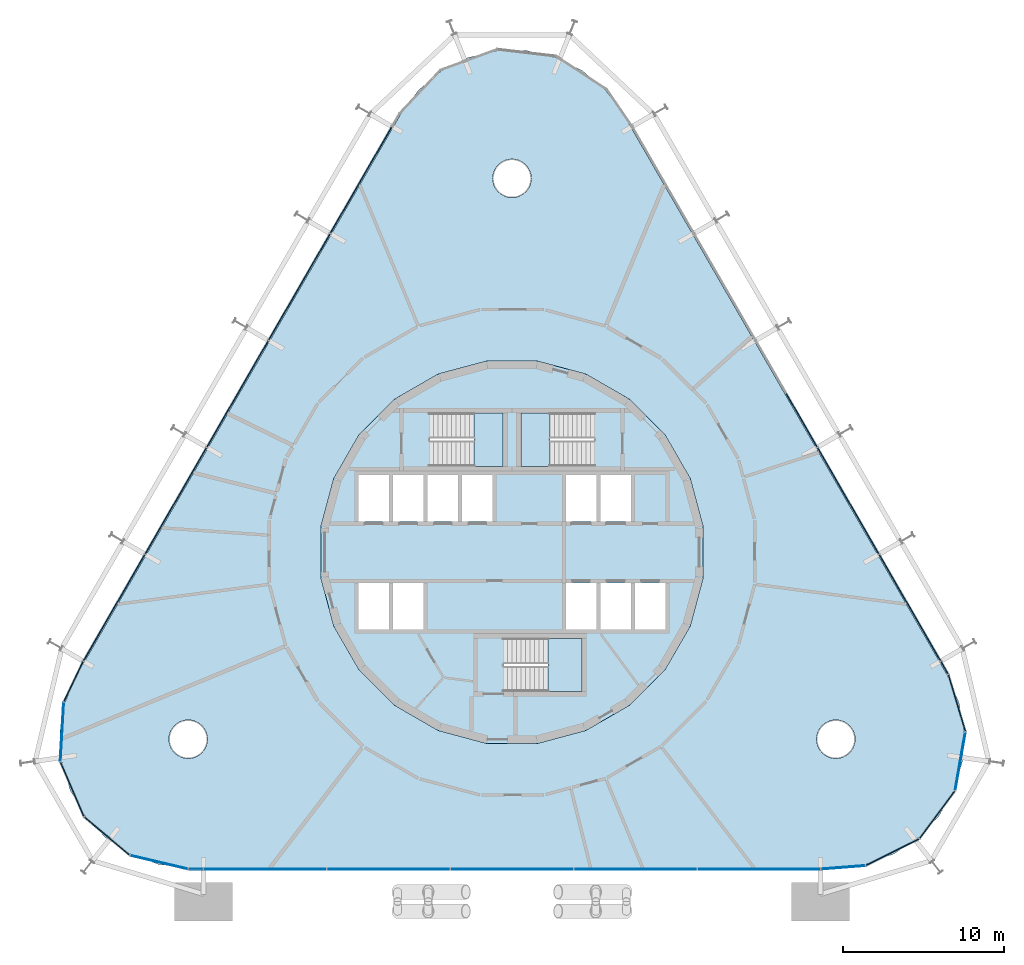
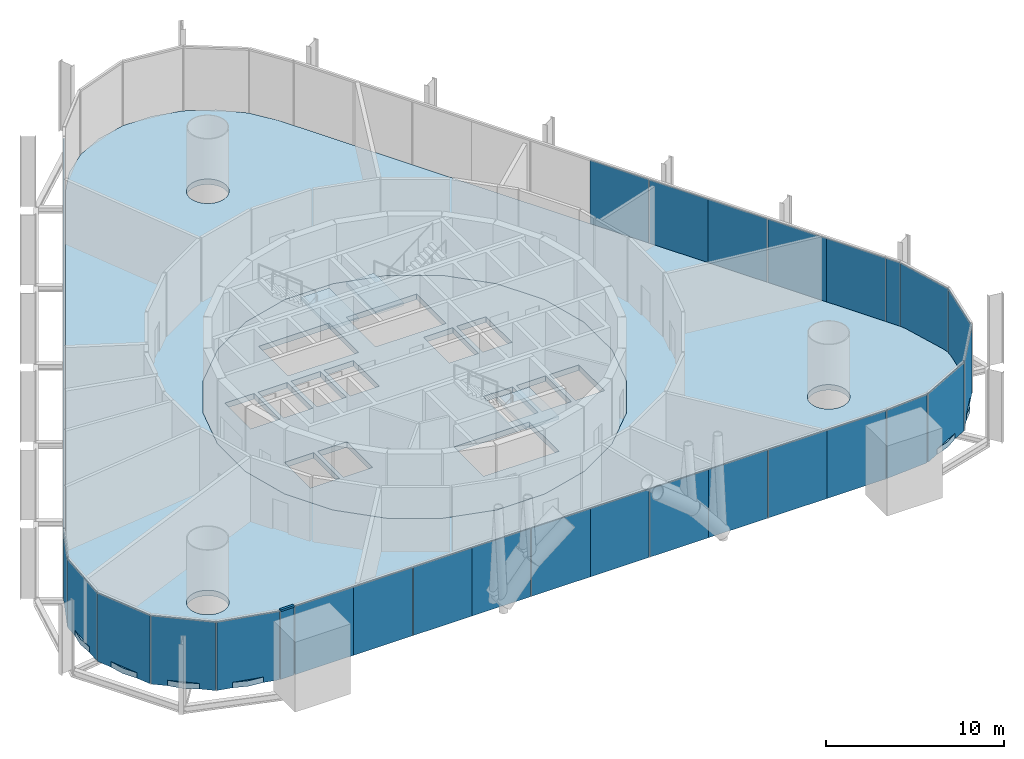
# One storey, part 12 of 17: 37 plates, 5 slabs, 1 member, 8 elements without a shape of their own.
"""IFC4 building model written with IfcOpenShell, lengths in metres."""

from ifc_helpers import new_model, si_unit, direction, frame, origin, origin_2d, place, context, subcontext, project, spatial, polyline, rectangle, outline, extrude, material, layer, layer_set, material_profile, profile_set, type_object, element, aggregate, save


model = new_model("IFC4")

# Units and contexts
model_context = context("Model", 3, precision=1e-05, world=origin(), true_north=direction((0.0, 1.0)))
body_context = subcontext(model_context, "Body", "Model", "MODEL_VIEW")
ifc_project = project(units=[si_unit("LENGTHUNIT", "METRE"), si_unit("AREAUNIT", "SQUARE_METRE"), si_unit("VOLUMEUNIT", "CUBIC_METRE"), si_unit("PLANEANGLEUNIT", "RADIAN"), si_unit("MASSUNIT", "GRAM", prefix="KILO")], contexts=[model_context])

# Site, building, storey
site_placement = place(None, origin())
site = spatial("IfcSite", under=ifc_project, at=site_placement, CompositionType="ELEMENT")
building_placement = place(site_placement, origin())
building = spatial("IfcBuilding", under=site, at=building_placement, Name="Spindle Arch Residences", CompositionType="ELEMENT")
storey_placement = place(building_placement, frame((0.0, 0.0, 23.39990234375)))
storey = spatial("IfcBuildingStorey", under=building, at=storey_placement, Name="L04", CompositionType="ELEMENT", Elevation=23.39990234375)

# Curtain wall, member
ifc_material_1 = material(Name="Aluminium bronze unitised frame with tinted glass", Category="aluminium")
ifc_layer_1 = layer(ifc_material_1, 0.159912109375)
ifc_layer_set_1 = layer_set([ifc_layer_1], Name="CW-D corner wall on the fillet arcs")
curtain_wall_type_1 = type_object("IfcCurtainWallType", Name="CW-D corner wall on the fillet arcs", PredefinedType="NOTDEFINED", material=ifc_layer_set_1)
curtain_wall_1_placement = place(storey_placement, origin())
curtain_wall_1 = element("IfcCurtainWall", 1, at=curtain_wall_1_placement, inside=storey, type_object=curtain_wall_type_1, Name="CW-D L04 run 5", PredefinedType="NOTDEFINED")
ifc_material_2 = material(Name="Aluminium bronze anodised transom", Category="aluminium")
ifc_material_profile = material_profile(ifc_material_2, rectangle(XDim=0.159912109375, YDim=0.1201171875, at=origin_2d()), Name="TR 120x160")
ifc_profile_set = profile_set([ifc_material_profile], Name="Aluminium bronze anodised transom")
member_type = type_object("IfcMemberType", Name="Bronze transom 120x160", PredefinedType="USERDEFINED", material=ifc_profile_set)
member_placement = place(storey_placement, frame((-20.113525390625, -19.7099609375, 4.360107421875), z_axis=(1.0, 0.0, 0.0), x_axis=(0.0, 1.0, 0.0)))
member = element("IfcMember", 2, at=member_placement, type_object=member_type, Name="CW-D transom 05", ObjectType="TRANSOM", PredefinedType="USERDEFINED", context=body_context, shape_type="SweptSolid", body=[
    extrude(rectangle(XDim=0.159912109375, YDim=0.1201171875, at=origin_2d()), origin(), (0.0, 0.0, 1.0), 0.88330078125),
])

# Slab
ifc_material_3 = material(Name="Concrete C50/60", Category="concrete")
ifc_layer_2 = layer(ifc_material_3, 0.3798828125)
ifc_layer_set_2 = layer_set([ifc_layer_2], Name="Core floor slab 380")
slab_type_1 = type_object("IfcSlabType", Name="Core floor slab 380", PredefinedType="FLOOR", material=ifc_layer_set_2)
slab_1_placement = place(storey_placement, frame((0.0, 0.0, -0.3798828125)))
element("IfcSlab", 3, at=slab_1_placement, inside=storey, type_object=slab_type_1, Name="Core floor L04", PredefinedType="FLOOR", context=body_context, shape_type="SweptSolid", body=[
    extrude(outline(polyline([(1.56640625, -11.897216796875), (4.59228515625, -11.086669921875), (7.30517578125, -9.520263671875), (9.520263671875, -7.30517578125), (11.086669921875, -4.59228515625), (11.897216796875, -1.56640625), (11.897216796875, 1.56640625), (11.086669921875, 4.59228515625), (9.520263671875, 7.30517578125), (7.30517578125, 9.520263671875), (4.59228515625, 11.086669921875), (1.56640625, 11.897216796875), (-1.56640625, 11.897216796875), (-4.59228515625, 11.086669921875), (-7.30517578125, 9.520263671875), (-9.520263671875, 7.30517578125), (-11.086669921875, 4.59228515625), (-11.897216796875, 1.56640625), (-11.897216796875, -1.56640625), (-11.086669921875, -4.59228515625), (-9.520263671875, -7.30517578125), (-7.30517578125, -9.520263671875), (-4.59228515625, -11.086669921875), (-1.56640625, -11.897216796875), (1.56640625, -11.897216796875)]), holes=[polyline([(-9.550048828125, 1.89990234375), (-7.64990234375, 1.89990234375), (-7.64990234375, 4.800048828125), (-9.550048828125, 4.800048828125), (-9.550048828125, 1.89990234375)]), polyline([(-7.39990234375, 1.89990234375), (-5.5, 1.89990234375), (-5.5, 4.800048828125), (-7.39990234375, 4.800048828125), (-7.39990234375, 1.89990234375)]), polyline([(-5.25, 1.89990234375), (-3.35009765625, 1.89990234375), (-3.35009765625, 4.800048828125), (-5.25, 4.800048828125), (-5.25, 1.89990234375)]), polyline([(-3.10009765625, 1.89990234375), (-1.199951171875, 1.89990234375), (-1.199951171875, 4.800048828125), (-3.10009765625, 4.800048828125), (-3.10009765625, 1.89990234375)]), polyline([(3.35009765625, 1.89990234375), (5.25, 1.89990234375), (5.25, 4.800048828125), (3.35009765625, 4.800048828125), (3.35009765625, 1.89990234375)]), polyline([(5.5, 1.89990234375), (7.39990234375, 1.89990234375), (7.39990234375, 4.800048828125), (5.5, 4.800048828125), (5.5, 1.89990234375)]), polyline([(-9.550048828125, -4.800048828125), (-7.64990234375, -4.800048828125), (-7.64990234375, -1.89990234375), (-9.550048828125, -1.89990234375), (-9.550048828125, -4.800048828125)]), polyline([(-7.39990234375, -4.800048828125), (-5.5, -4.800048828125), (-5.5, -1.89990234375), (-7.39990234375, -1.89990234375), (-7.39990234375, -4.800048828125)]), polyline([(3.35009765625, -4.800048828125), (5.25, -4.800048828125), (5.25, -1.89990234375), (3.35009765625, -1.89990234375), (3.35009765625, -4.800048828125)]), polyline([(5.5, -4.800048828125), (7.39990234375, -4.800048828125), (7.39990234375, -1.89990234375), (5.5, -1.89990234375), (5.5, -4.800048828125)]), polyline([(7.64990234375, -4.800048828125), (9.550048828125, -4.800048828125), (9.550048828125, -1.89990234375), (7.64990234375, -1.89990234375), (7.64990234375, -4.800048828125)]), polyline([(5.1298828125, 8.669921875), (0.550048828125, 8.669921875), (0.550048828125, 5.35009765625), (5.1298828125, 5.35009765625), (5.1298828125, 8.669921875)]), polyline([(-5.1298828125, 5.35009765625), (-0.550048828125, 5.35009765625), (-0.550048828125, 8.669921875), (-5.1298828125, 8.669921875), (-5.1298828125, 5.35009765625)]), polyline([(-0.530029296875, -8.669921875), (4.35009765625, -8.669921875), (4.35009765625, -5.35009765625), (-0.530029296875, -5.35009765625), (-0.530029296875, -8.669921875)])]), origin(), (0.0, 0.0, 1.0), 0.3798828125),
])

# Stair, slab
ifc_material_4 = material(Name="Concrete C50/60", Category="concrete")
stair_type = type_object("IfcStairType", Name="Exit stair 22 risers", PredefinedType="HALF_TURN_STAIR", material=ifc_material_4)
stair_1_placement = place(storey_placement, origin())
stair_1 = element("IfcStair", 4, at=stair_1_placement, inside=storey, type_object=stair_type, Name="L04 Exit stair ST1", PredefinedType="HALF_TURN_STAIR")
ifc_material_5 = material(Name="Concrete C50/60", Category="concrete")
ifc_layer_3 = layer(ifc_material_5, 0.219970703125)
ifc_layer_set_3 = layer_set([ifc_layer_3], Name="Exit stair landing 220")
slab_type_2 = type_object("IfcSlabType", Name="Exit stair landing 220", PredefinedType="LANDING", material=ifc_layer_set_3)
slab_2_placement = place(storey_placement, frame((0.0, 0.0, 2.18017578125)))
slab_2 = element("IfcSlab", 5, at=slab_2_placement, type_object=slab_type_2, Name="ST1 landing 1", PredefinedType="LANDING", context=body_context, shape_type="SweptSolid", body=[
    extrude(outline(polyline([(2.3701171875, 8.669921875), (0.550048828125, 8.669921875), (0.550048828125, 5.35009765625), (2.3701171875, 5.35009765625), (2.3701171875, 8.669921875)])), origin(), (0.0, 0.0, 1.0), 0.219970703125),
])
aggregate(stair_1, [slab_2])

stair_2_placement = place(storey_placement, origin())
stair_2 = element("IfcStair", 6, at=stair_2_placement, inside=storey, type_object=stair_type, Name="L04 Exit stair ST2", PredefinedType="HALF_TURN_STAIR")
slab_3_placement = place(storey_placement, frame((0.0, 0.0, 2.18017578125)))
slab_3 = element("IfcSlab", 7, at=slab_3_placement, type_object=slab_type_2, Name="ST2 landing 1", PredefinedType="LANDING", context=body_context, shape_type="SweptSolid", body=[
    extrude(outline(polyline([(-2.3701171875, 5.35009765625), (-0.550048828125, 5.35009765625), (-0.550048828125, 8.669921875), (-2.3701171875, 8.669921875), (-2.3701171875, 5.35009765625)])), origin(), (0.0, 0.0, 1.0), 0.219970703125),
])
aggregate(stair_2, [slab_3])

stair_3_placement = place(storey_placement, origin())
stair_3 = element("IfcStair", 8, at=stair_3_placement, inside=storey, type_object=stair_type, Name="L04 Exit stair ST3", PredefinedType="HALF_TURN_STAIR")
slab_4_placement = place(storey_placement, frame((0.0, 0.0, 2.18017578125)))
slab_4 = element("IfcSlab", 9, at=slab_4_placement, type_object=slab_type_2, Name="ST3 landing 1", PredefinedType="LANDING", context=body_context, shape_type="SweptSolid", body=[
    extrude(outline(polyline([(2.22998046875, -8.669921875), (4.35009765625, -8.669921875), (4.35009765625, -5.35009765625), (2.22998046875, -5.35009765625), (2.22998046875, -8.669921875)])), origin(), (0.0, 0.0, 1.0), 0.219970703125),
])
aggregate(stair_3, [slab_4])

# Slab
ifc_material_6 = material(Name="Concrete C40/50", Category="concrete")
ifc_layer_4 = layer(ifc_material_6, 0.3798828125)
ifc_layer_set_4 = layer_set([ifc_layer_4], Name="Floor slab 380")
slab_type_3 = type_object("IfcSlabType", Name="Floor slab 380", PredefinedType="FLOOR", material=ifc_layer_set_4)
slab_5_placement = place(storey_placement, frame((0.0, 0.0, -0.3798828125)))
element("IfcSlab", 10, at=slab_5_placement, inside=storey, type_object=slab_type_3, Name="Floor slab L04", PredefinedType="FLOOR", context=body_context, shape_type="SweptSolid", body=[
    extrude(outline(polyline([(-21.988525390625, -19.414306640625), (-23.73388671875, -18.779052734375), (-25.285888671875, -17.75830078125), (-26.560546875, -16.4072265625), (-27.4892578125, -14.798583984375), (-28.022216796875, -13.01904296875), (-28.130126953125, -11.164794921875), (-27.8076171875, -9.33544921875), (-27.07177734375, -7.6298828125), (-6.92822265625, 27.259765625), (-5.819091796875, 28.749755859375), (-4.39599609375, 29.943603515625), (-2.736083984375, 30.77734375), (-0.9287109375, 31.205810546875), (0.9287109375, 31.205810546875), (2.736083984375, 30.77734375), (4.39599609375, 29.943603515625), (5.819091796875, 28.749755859375), (6.92822265625, 27.259765625), (27.07177734375, -7.6298828125), (27.8076171875, -9.33544921875), (28.130126953125, -11.164794921875), (28.022216796875, -13.01904296875), (27.4892578125, -14.798583984375), (26.560546875, -16.4072265625), (25.285888671875, -17.75830078125), (23.73388671875, -18.779052734375), (21.988525390625, -19.414306640625), (20.1435546875, -19.6298828125), (0.0, -19.6298828125), (-20.1435546875, -19.6298828125), (-21.988525390625, -19.414306640625)]), holes=[polyline([(7.30517578125, -9.520263671875), (9.520263671875, -7.30517578125), (11.086669921875, -4.59228515625), (11.897216796875, -1.56640625), (11.897216796875, 1.56640625), (11.086669921875, 4.59228515625), (9.520263671875, 7.30517578125), (7.30517578125, 9.520263671875), (4.59228515625, 11.086669921875), (1.56640625, 11.897216796875), (-1.56640625, 11.897216796875), (-4.59228515625, 11.086669921875), (-7.30517578125, 9.520263671875), (-9.520263671875, 7.30517578125), (-11.086669921875, 4.59228515625), (-11.897216796875, 1.56640625), (-11.897216796875, -1.56640625), (-11.086669921875, -4.59228515625), (-9.520263671875, -7.30517578125), (-7.30517578125, -9.520263671875), (-4.59228515625, -11.086669921875), (-1.56640625, -11.897216796875), (1.56640625, -11.897216796875), (4.59228515625, -11.086669921875), (7.30517578125, -9.520263671875)]), polyline([(-19.295166015625, -12.478515625), (-19.145751953125, -12.296630859375), (-19.034912109375, -12.089111328125), (-18.966796875, -11.864013671875), (-18.943603515625, -11.6298828125), (-18.966796875, -11.395751953125), (-19.034912109375, -11.170654296875), (-19.145751953125, -10.963134765625), (-19.295166015625, -10.781494140625), (-19.476806640625, -10.632080078125), (-19.684326171875, -10.521240234375), (-19.909423828125, -10.452880859375), (-20.1435546875, -10.429931640625), (-20.377685546875, -10.452880859375), (-20.602783203125, -10.521240234375), (-20.810302734375, -10.632080078125), (-20.9921875, -10.781494140625), (-21.141357421875, -10.963134765625), (-21.252197265625, -11.170654296875), (-21.320556640625, -11.395751953125), (-21.343505859375, -11.6298828125), (-21.320556640625, -11.864013671875), (-21.252197265625, -12.089111328125), (-21.141357421875, -12.296630859375), (-20.9921875, -12.478515625), (-20.810302734375, -12.627685546875), (-20.602783203125, -12.738525390625), (-20.377685546875, -12.806884765625), (-20.1435546875, -12.829833984375), (-19.909423828125, -12.806884765625), (-19.684326171875, -12.738525390625), (-19.476806640625, -12.627685546875), (-19.295166015625, -12.478515625)]), polyline([(0.848388671875, 22.411376953125), (0.997802734375, 22.593017578125), (1.108642578125, 22.800537109375), (1.177001953125, 23.025634765625), (1.199951171875, 23.259765625), (1.177001953125, 23.493896484375), (1.108642578125, 23.718994140625), (0.997802734375, 23.926513671875), (0.848388671875, 24.1083984375), (0.666748046875, 24.257568359375), (0.459228515625, 24.368408203125), (0.234130859375, 24.436767578125), (0.0, 24.459716796875), (-0.234130859375, 24.436767578125), (-0.459228515625, 24.368408203125), (-0.666748046875, 24.257568359375), (-0.848388671875, 24.1083984375), (-0.997802734375, 23.926513671875), (-1.108642578125, 23.718994140625), (-1.177001953125, 23.493896484375), (-1.199951171875, 23.259765625), (-1.177001953125, 23.025634765625), (-1.108642578125, 22.800537109375), (-0.997802734375, 22.593017578125), (-0.848388671875, 22.411376953125), (-0.666748046875, 22.261962890625), (-0.459228515625, 22.151123046875), (-0.234130859375, 22.0830078125), (0.0, 22.059814453125), (0.234130859375, 22.0830078125), (0.459228515625, 22.151123046875), (0.666748046875, 22.261962890625), (0.848388671875, 22.411376953125)]), polyline([(20.9921875, -12.478515625), (21.141357421875, -12.296630859375), (21.252197265625, -12.089111328125), (21.320556640625, -11.864013671875), (21.343505859375, -11.6298828125), (21.320556640625, -11.395751953125), (21.252197265625, -11.170654296875), (21.141357421875, -10.963134765625), (20.9921875, -10.781494140625), (20.810302734375, -10.632080078125), (20.602783203125, -10.521240234375), (20.377685546875, -10.452880859375), (20.1435546875, -10.429931640625), (19.909423828125, -10.452880859375), (19.684326171875, -10.521240234375), (19.476806640625, -10.632080078125), (19.295166015625, -10.781494140625), (19.145751953125, -10.963134765625), (19.034912109375, -11.170654296875), (18.966796875, -11.395751953125), (18.943603515625, -11.6298828125), (18.966796875, -11.864013671875), (19.034912109375, -12.089111328125), (19.145751953125, -12.296630859375), (19.295166015625, -12.478515625), (19.476806640625, -12.627685546875), (19.684326171875, -12.738525390625), (19.909423828125, -12.806884765625), (20.1435546875, -12.829833984375), (20.377685546875, -12.806884765625), (20.602783203125, -12.738525390625), (20.810302734375, -12.627685546875), (20.9921875, -12.478515625)])]), origin(), (0.0, 0.0, 1.0), 0.3798828125),
])

# Curtain wall, plates
curtain_wall_2_placement = place(storey_placement, origin())
curtain_wall_2 = element("IfcCurtainWall", 11, at=curtain_wall_2_placement, inside=storey, type_object=curtain_wall_type_1, Name="CW-D L04 run 1", PredefinedType="NOTDEFINED")
ifc_material_7 = material(Name="Tinted double glazing over aluminium faced non-combustible spandrel zone (K0)", Category="aluminium")
ifc_layer_5 = layer(ifc_material_7, 0.06005859375)
ifc_layer_set_5 = layer_set([ifc_layer_5], Name="Unitised glass panel with E 60 spandrel zone")
plate_type = type_object("IfcPlateType", Name="Unitised glass panel with E 60 spandrel zone", PredefinedType="CURTAIN_PANEL", material=ifc_layer_set_5)
plate_1_placement = place(storey_placement, frame((20.603515625, -19.60107421875, -0.3798828125), z_axis=(0.0, 0.0, 1.0), x_axis=(0.997002907861, 0.077364085451, 0.0)))
plate_1 = element("IfcPlate", 12, at=plate_1_placement, type_object=plate_type, Name="CW-D unit 00", PredefinedType="CURTAIN_PANEL", context=body_context, shape_type="SweptSolid", body=[
    extrude(rectangle(XDim=2.755126953125, YDim=0.06005859375, at=origin_2d()), origin(), (0.0, 0.0, 1.0), 4.679931640625),
])
plate_2_placement = place(storey_placement, frame((23.672119140625, -18.65576171875, -0.3798828125), z_axis=(0.0, 0.0, 1.0), x_axis=(0.893632642326, 0.448799176213, 0.0)))
plate_2 = element("IfcPlate", 13, at=plate_2_placement, type_object=plate_type, Name="CW-D unit 01", PredefinedType="CURTAIN_PANEL", context=body_context, shape_type="SweptSolid", body=[
    extrude(rectangle(XDim=3.666748046875, YDim=0.06005859375, at=origin_2d()), origin(), (0.0, 0.0, 1.0), 4.679931640625),
])
plate_3_placement = place(storey_placement, frame((26.449951171875, -16.324951171875, -0.3798828125), z_axis=(0.0, 0.0, 1.0), x_axis=(0.597158595823, 0.802123189687, 0.0)))
plate_3 = element("IfcPlate", 14, at=plate_3_placement, type_object=plate_type, Name="CW-D unit 02", PredefinedType="CURTAIN_PANEL", context=body_context, shape_type="SweptSolid", body=[
    extrude(rectangle(XDim=3.666748046875, YDim=0.06005859375, at=origin_2d()), origin(), (0.0, 0.0, 1.0), 4.679931640625),
])
plate_4_placement = place(storey_placement, frame((27.88623046875, -12.9951171875, -0.3798828125), z_axis=(0.0, 0.0, 1.0), x_axis=(0.173648181019, 0.984807752421, 0.0)))
plate_4 = element("IfcPlate", 15, at=plate_4_placement, type_object=plate_type, Name="CW-D unit 03", PredefinedType="CURTAIN_PANEL", context=body_context, shape_type="SweptSolid", body=[
    extrude(rectangle(XDim=3.666748046875, YDim=0.06005859375, at=origin_2d()), origin(), (0.0, 0.0, 1.0), 4.679931640625),
])
plate_5_placement = place(storey_placement, frame((27.675537109375, -9.375, -0.3798828125), z_axis=(0.0, 0.0, 1.0), x_axis=(-0.28680323051, 0.957989512975, 0.0)))
plate_5 = element("IfcPlate", 16, at=plate_5_placement, type_object=plate_type, Name="CW-D unit 04", PredefinedType="CURTAIN_PANEL", context=body_context, shape_type="SweptSolid", body=[
    extrude(rectangle(XDim=3.666748046875, YDim=0.06005859375, at=origin_2d()), origin(), (0.0, 0.0, 1.0), 4.679931640625),
])
plate_6_placement = place(storey_placement, frame((26.9052734375, -7.181396484375, -0.3798828125), z_axis=(0.0, 0.0, 1.0), x_axis=(-0.5, 0.866025403784, 0.0)))
plate_6 = element("IfcPlate", 17, at=plate_6_placement, type_object=plate_type, Name="CW-D unit 05", PredefinedType="CURTAIN_PANEL", context=body_context, shape_type="SweptSolid", body=[
    extrude(rectangle(XDim=0.88330078125, YDim=0.06005859375, at=origin_2d()), origin(), (0.0, 0.0, 1.0), 4.679931640625),
])
aggregate(curtain_wall_2, [plate_1, plate_2, plate_3, plate_4, plate_5, plate_6])

ifc_material_8 = material(Name="Aluminium bronze unitised frame with tinted glass", Category="aluminium")
ifc_layer_6 = layer(ifc_material_8, 0.159912109375)
ifc_layer_set_6 = layer_set([ifc_layer_6], Name="CW-B amenity podium glazed wall")
curtain_wall_type_2 = type_object("IfcCurtainWallType", Name="CW-B amenity podium glazed wall", PredefinedType="NOTDEFINED", material=ifc_layer_set_6)
curtain_wall_3_placement = place(storey_placement, origin())
curtain_wall_3 = element("IfcCurtainWall", 18, at=curtain_wall_3_placement, inside=storey, type_object=curtain_wall_type_2, Name="CW-B L04 run 2", PredefinedType="NOTDEFINED")
plate_7_placement = place(storey_placement, frame((25.701904296875, -5.09716796875, -0.3798828125), z_axis=(0.0, 0.0, 1.0), x_axis=(-0.5, 0.866025403784, 0.0)))
plate_7 = element("IfcPlate", 19, at=plate_7_placement, type_object=plate_type, Name="CW-B unit 05A", PredefinedType="CURTAIN_PANEL", context=body_context, shape_type="SweptSolid", body=[
    extrude(rectangle(XDim=3.81005859375, YDim=0.06005859375, at=origin_2d()), origin(), (0.0, 0.0, 1.0), 4.679931640625),
])
plate_8_placement = place(storey_placement, frame((23.796875, -1.797607421875, -0.3798828125), z_axis=(0.0, 0.0, 1.0), x_axis=(-0.5, 0.866025403784, 0.0)))
plate_8 = element("IfcPlate", 20, at=plate_8_placement, type_object=plate_type, Name="CW-B unit 05B", PredefinedType="CURTAIN_PANEL", context=body_context, shape_type="SweptSolid", body=[
    extrude(rectangle(XDim=3.81005859375, YDim=0.06005859375, at=origin_2d()), origin(), (0.0, 0.0, 1.0), 4.679931640625),
])
plate_9_placement = place(storey_placement, frame((21.86181640625, 1.553955078125, -0.3798828125), z_axis=(0.0, 0.0, 1.0), x_axis=(-0.5, 0.866025403784, 0.0)))
plate_9 = element("IfcPlate", 21, at=plate_9_placement, type_object=plate_type, Name="CW-B unit 06A", PredefinedType="CURTAIN_PANEL", context=body_context, shape_type="SweptSolid", body=[
    extrude(rectangle(XDim=3.81005859375, YDim=0.06005859375, at=origin_2d()), origin(), (0.0, 0.0, 1.0), 4.679931640625),
])
plate_10_placement = place(storey_placement, frame((19.956787109375, 4.853515625, -0.3798828125), z_axis=(0.0, 0.0, 1.0), x_axis=(-0.5, 0.866025403784, 0.0)))
plate_10 = element("IfcPlate", 22, at=plate_10_placement, type_object=plate_type, Name="CW-B unit 06B", PredefinedType="CURTAIN_PANEL", context=body_context, shape_type="SweptSolid", body=[
    extrude(rectangle(XDim=3.81005859375, YDim=0.06005859375, at=origin_2d()), origin(), (0.0, 0.0, 1.0), 4.679931640625),
])
plate_11_placement = place(storey_placement, frame((18.021728515625, 8.205078125, -0.3798828125), z_axis=(0.0, 0.0, 1.0), x_axis=(-0.5, 0.866025403784, 0.0)))
plate_11 = element("IfcPlate", 23, at=plate_11_placement, type_object=plate_type, Name="CW-B unit 07A", PredefinedType="CURTAIN_PANEL", context=body_context, shape_type="SweptSolid", body=[
    extrude(rectangle(XDim=3.81005859375, YDim=0.06005859375, at=origin_2d()), origin(), (0.0, 0.0, 1.0), 4.679931640625),
])
aggregate(curtain_wall_3, [plate_7, plate_8, plate_9, plate_10, plate_11])

curtain_wall_4_placement = place(storey_placement, origin())
curtain_wall_4 = element("IfcCurtainWall", 24, at=curtain_wall_4_placement, inside=storey, type_object=curtain_wall_type_2, Name="CW-B L04 run 4", PredefinedType="NOTDEFINED")
plate_12_placement = place(storey_placement, frame((-8.436767578125, 24.80712890625, -0.3798828125), z_axis=(0.0, 0.0, 1.0), x_axis=(-0.5, -0.866025403784, 0.0)))
plate_12 = element("IfcPlate", 25, at=plate_12_placement, type_object=plate_type, Name="CW-B unit 13A", PredefinedType="CURTAIN_PANEL", context=body_context, shape_type="SweptSolid", body=[
    extrude(rectangle(XDim=3.81005859375, YDim=0.06005859375, at=origin_2d()), origin(), (0.0, 0.0, 1.0), 4.679931640625),
])
plate_13_placement = place(storey_placement, frame((-10.341796875, 21.50732421875, -0.3798828125), z_axis=(0.0, 0.0, 1.0), x_axis=(-0.5, -0.866025403784, 0.0)))
plate_13 = element("IfcPlate", 26, at=plate_13_placement, type_object=plate_type, Name="CW-B unit 13B", PredefinedType="CURTAIN_PANEL", context=body_context, shape_type="SweptSolid", body=[
    extrude(rectangle(XDim=3.81005859375, YDim=0.06005859375, at=origin_2d()), origin(), (0.0, 0.0, 1.0), 4.679931640625),
])
plate_14_placement = place(storey_placement, frame((-12.27685546875, 18.156005859375, -0.3798828125), z_axis=(0.0, 0.0, 1.0), x_axis=(-0.5, -0.866025403784, 0.0)))
plate_14 = element("IfcPlate", 27, at=plate_14_placement, type_object=plate_type, Name="CW-B unit 14A", PredefinedType="CURTAIN_PANEL", context=body_context, shape_type="SweptSolid", body=[
    extrude(rectangle(XDim=3.81005859375, YDim=0.06005859375, at=origin_2d()), origin(), (0.0, 0.0, 1.0), 4.679931640625),
])
plate_15_placement = place(storey_placement, frame((-14.181640625, 14.856201171875, -0.3798828125), z_axis=(0.0, 0.0, 1.0), x_axis=(-0.5, -0.866025403784, 0.0)))
plate_15 = element("IfcPlate", 28, at=plate_15_placement, type_object=plate_type, Name="CW-B unit 14B", PredefinedType="CURTAIN_PANEL", context=body_context, shape_type="SweptSolid", body=[
    extrude(rectangle(XDim=3.81005859375, YDim=0.06005859375, at=origin_2d()), origin(), (0.0, 0.0, 1.0), 4.679931640625),
])
plate_16_placement = place(storey_placement, frame((-16.11669921875, 11.504638671875, -0.3798828125), z_axis=(0.0, 0.0, 1.0), x_axis=(-0.5, -0.866025403784, 0.0)))
plate_16 = element("IfcPlate", 29, at=plate_16_placement, type_object=plate_type, Name="CW-B unit 15A", PredefinedType="CURTAIN_PANEL", context=body_context, shape_type="SweptSolid", body=[
    extrude(rectangle(XDim=3.81005859375, YDim=0.06005859375, at=origin_2d()), origin(), (0.0, 0.0, 1.0), 4.679931640625),
])
plate_17_placement = place(storey_placement, frame((-18.021728515625, 8.205078125, -0.3798828125), z_axis=(0.0, 0.0, 1.0), x_axis=(-0.5, -0.866025403784, 0.0)))
plate_17 = element("IfcPlate", 30, at=plate_17_placement, type_object=plate_type, Name="CW-B unit 15B", PredefinedType="CURTAIN_PANEL", context=body_context, shape_type="SweptSolid", body=[
    extrude(rectangle(XDim=3.81005859375, YDim=0.06005859375, at=origin_2d()), origin(), (0.0, 0.0, 1.0), 4.679931640625),
])
plate_18_placement = place(storey_placement, frame((-19.956787109375, 4.853515625, -0.3798828125), z_axis=(0.0, 0.0, 1.0), x_axis=(-0.5, -0.866025403784, 0.0)))
plate_18 = element("IfcPlate", 31, at=plate_18_placement, type_object=plate_type, Name="CW-B unit 16A", PredefinedType="CURTAIN_PANEL", context=body_context, shape_type="SweptSolid", body=[
    extrude(rectangle(XDim=3.81005859375, YDim=0.06005859375, at=origin_2d()), origin(), (0.0, 0.0, 1.0), 4.679931640625),
])
plate_19_placement = place(storey_placement, frame((-21.86181640625, 1.553955078125, -0.3798828125), z_axis=(0.0, 0.0, 1.0), x_axis=(-0.5, -0.866025403784, 0.0)))
plate_19 = element("IfcPlate", 32, at=plate_19_placement, type_object=plate_type, Name="CW-B unit 16B", PredefinedType="CURTAIN_PANEL", context=body_context, shape_type="SweptSolid", body=[
    extrude(rectangle(XDim=3.81005859375, YDim=0.06005859375, at=origin_2d()), origin(), (0.0, 0.0, 1.0), 4.679931640625),
])
plate_20_placement = place(storey_placement, frame((-23.796875, -1.797607421875, -0.3798828125), z_axis=(0.0, 0.0, 1.0), x_axis=(-0.5, -0.866025403784, 0.0)))
plate_20 = element("IfcPlate", 33, at=plate_20_placement, type_object=plate_type, Name="CW-B unit 17A", PredefinedType="CURTAIN_PANEL", context=body_context, shape_type="SweptSolid", body=[
    extrude(rectangle(XDim=3.81005859375, YDim=0.06005859375, at=origin_2d()), origin(), (0.0, 0.0, 1.0), 4.679931640625),
])
plate_21_placement = place(storey_placement, frame((-25.701904296875, -5.09716796875, -0.3798828125), z_axis=(0.0, 0.0, 1.0), x_axis=(-0.5, -0.866025403784, 0.0)))
plate_21 = element("IfcPlate", 34, at=plate_21_placement, type_object=plate_type, Name="CW-B unit 17B", PredefinedType="CURTAIN_PANEL", context=body_context, shape_type="SweptSolid", body=[
    extrude(rectangle(XDim=3.81005859375, YDim=0.06005859375, at=origin_2d()), origin(), (0.0, 0.0, 1.0), 4.679931640625),
])
aggregate(curtain_wall_4, [plate_12, plate_13, plate_14, plate_15, plate_16, plate_17, plate_18, plate_19, plate_20, plate_21])

# Plate
plate_22_placement = place(storey_placement, frame((-27.27685546875, -8.042724609375, -0.3798828125), z_axis=(0.0, 0.0, 1.0), x_axis=(-0.431502189519, -0.902111889092, 0.0)))
plate_22 = element("IfcPlate", 35, at=plate_22_placement, type_object=plate_type, Name="CW-D unit 00", PredefinedType="CURTAIN_PANEL", context=body_context, shape_type="SweptSolid", body=[
    extrude(rectangle(XDim=2.755126953125, YDim=0.06005859375, at=origin_2d()), origin(), (0.0, 0.0, 1.0), 4.679931640625),
])

plate_23_placement = place(storey_placement, frame((-27.992431640625, -11.1728515625, -0.3798828125), z_axis=(0.0, 0.0, 1.0), x_axis=(-0.058144829968, -0.99830815821, 0.0)))
plate_23 = element("IfcPlate", 36, at=plate_23_placement, type_object=plate_type, Name="CW-D unit 01", PredefinedType="CURTAIN_PANEL", context=body_context, shape_type="SweptSolid", body=[
    extrude(rectangle(XDim=3.666748046875, YDim=0.06005859375, at=origin_2d()), origin(), (0.0, 0.0, 1.0), 4.679931640625),
])

plate_24_placement = place(storey_placement, frame((-27.36279296875, -14.743896484375, -0.3798828125), z_axis=(0.0, 0.0, 1.0), x_axis=(0.396079766691, -0.918216106599, 0.0)))
plate_24 = element("IfcPlate", 37, at=plate_24_placement, type_object=plate_type, Name="CW-D unit 02", PredefinedType="CURTAIN_PANEL", context=body_context, shape_type="SweptSolid", body=[
    extrude(rectangle(XDim=3.666748046875, YDim=0.06005859375, at=origin_2d()), origin(), (0.0, 0.0, 1.0), 4.679931640625),
])

plate_25_placement = place(storey_placement, frame((-25.197265625, -17.652587890625, -0.3798828125), z_axis=(0.0, 0.0, 1.0), x_axis=(0.766044445239, -0.64278760716, 0.0)))
plate_25 = element("IfcPlate", 38, at=plate_25_placement, type_object=plate_type, Name="CW-D unit 03", PredefinedType="CURTAIN_PANEL", context=body_context, shape_type="SweptSolid", body=[
    extrude(rectangle(XDim=3.666748046875, YDim=0.06005859375, at=origin_2d()), origin(), (0.0, 0.0, 1.0), 4.679931640625),
])

plate_26_placement = place(storey_placement, frame((-21.956787109375, -19.2802734375, -0.3798828125), z_axis=(0.0, 0.0, 1.0), x_axis=(0.973044871028, -0.230615868852, 0.0)))
plate_26 = element("IfcPlate", 39, at=plate_26_placement, type_object=plate_type, Name="CW-D unit 04", PredefinedType="CURTAIN_PANEL", context=body_context, shape_type="SweptSolid", body=[
    extrude(rectangle(XDim=3.666748046875, YDim=0.06005859375, at=origin_2d()), origin(), (0.0, 0.0, 1.0), 4.679931640625),
])

plate_27_placement = place(storey_placement, frame((-19.671875, -19.7099609375, -0.3798828125), z_axis=(0.0, 0.0, 1.0), x_axis=(1.0, 0.0, 0.0)))
plate_27 = element("IfcPlate", 40, at=plate_27_placement, type_object=plate_type, Name="CW-D unit 05", PredefinedType="CURTAIN_PANEL", context=body_context, shape_type="SweptSolid", body=[
    extrude(rectangle(XDim=0.88330078125, YDim=0.06005859375, at=origin_2d()), origin(), (0.0, 0.0, 1.0), 4.679931640625),
])

aggregate(curtain_wall_1, [plate_22, plate_23, plate_24, plate_25, plate_26, member, plate_27])

# Curtain wall, plates
curtain_wall_5_placement = place(storey_placement, origin())
curtain_wall_5 = element("IfcCurtainWall", 41, at=curtain_wall_5_placement, inside=storey, type_object=curtain_wall_type_2, Name="CW-B L04 run 6", PredefinedType="NOTDEFINED")
plate_28_placement = place(storey_placement, frame((-17.26513671875, -19.7099609375, -0.3798828125), z_axis=(0.0, 0.0, 1.0), x_axis=(1.0, 0.0, 0.0)))
plate_28 = element("IfcPlate", 42, at=plate_28_placement, type_object=plate_type, Name="CW-B unit 21A", PredefinedType="CURTAIN_PANEL", context=body_context, shape_type="SweptSolid", body=[
    extrude(rectangle(XDim=3.81005859375, YDim=0.06005859375, at=origin_2d()), origin(), (0.0, 0.0, 1.0), 4.679931640625),
])
plate_29_placement = place(storey_placement, frame((-13.455078125, -19.7099609375, -0.3798828125), z_axis=(0.0, 0.0, 1.0), x_axis=(1.0, 0.0, 0.0)))
plate_29 = element("IfcPlate", 43, at=plate_29_placement, type_object=plate_type, Name="CW-B unit 21B", PredefinedType="CURTAIN_PANEL", context=body_context, shape_type="SweptSolid", body=[
    extrude(rectangle(XDim=3.81005859375, YDim=0.06005859375, at=origin_2d()), origin(), (0.0, 0.0, 1.0), 4.679931640625),
])
plate_30_placement = place(storey_placement, frame((-9.585205078125, -19.7099609375, -0.3798828125), z_axis=(0.0, 0.0, 1.0), x_axis=(1.0, 0.0, 0.0)))
plate_30 = element("IfcPlate", 44, at=plate_30_placement, type_object=plate_type, Name="CW-B unit 22A", PredefinedType="CURTAIN_PANEL", context=body_context, shape_type="SweptSolid", body=[
    extrude(rectangle(XDim=3.81005859375, YDim=0.06005859375, at=origin_2d()), origin(), (0.0, 0.0, 1.0), 4.679931640625),
])
plate_31_placement = place(storey_placement, frame((-5.775146484375, -19.7099609375, -0.3798828125), z_axis=(0.0, 0.0, 1.0), x_axis=(1.0, 0.0, 0.0)))
plate_31 = element("IfcPlate", 45, at=plate_31_placement, type_object=plate_type, Name="CW-B unit 22B", PredefinedType="CURTAIN_PANEL", context=body_context, shape_type="SweptSolid", body=[
    extrude(rectangle(XDim=3.81005859375, YDim=0.06005859375, at=origin_2d()), origin(), (0.0, 0.0, 1.0), 4.679931640625),
])
plate_32_placement = place(storey_placement, frame((-1.905029296875, -19.7099609375, -0.3798828125), z_axis=(0.0, 0.0, 1.0), x_axis=(1.0, 0.0, 0.0)))
plate_32 = element("IfcPlate", 46, at=plate_32_placement, type_object=plate_type, Name="CW-B unit 23A", PredefinedType="CURTAIN_PANEL", context=body_context, shape_type="SweptSolid", body=[
    extrude(rectangle(XDim=3.81005859375, YDim=0.06005859375, at=origin_2d()), origin(), (0.0, 0.0, 1.0), 4.679931640625),
])
plate_33_placement = place(storey_placement, frame((1.905029296875, -19.7099609375, -0.3798828125), z_axis=(0.0, 0.0, 1.0), x_axis=(1.0, 0.0, 0.0)))
plate_33 = element("IfcPlate", 47, at=plate_33_placement, type_object=plate_type, Name="CW-B unit 23B", PredefinedType="CURTAIN_PANEL", context=body_context, shape_type="SweptSolid", body=[
    extrude(rectangle(XDim=3.81005859375, YDim=0.06005859375, at=origin_2d()), origin(), (0.0, 0.0, 1.0), 4.679931640625),
])
plate_34_placement = place(storey_placement, frame((5.775146484375, -19.7099609375, -0.3798828125), z_axis=(0.0, 0.0, 1.0), x_axis=(1.0, 0.0, 0.0)))
plate_34 = element("IfcPlate", 48, at=plate_34_placement, type_object=plate_type, Name="CW-B unit 00A", PredefinedType="CURTAIN_PANEL", context=body_context, shape_type="SweptSolid", body=[
    extrude(rectangle(XDim=3.81005859375, YDim=0.06005859375, at=origin_2d()), origin(), (0.0, 0.0, 1.0), 4.679931640625),
])
plate_35_placement = place(storey_placement, frame((9.585205078125, -19.7099609375, -0.3798828125), z_axis=(0.0, 0.0, 1.0), x_axis=(1.0, 0.0, 0.0)))
plate_35 = element("IfcPlate", 49, at=plate_35_placement, type_object=plate_type, Name="CW-B unit 00B", PredefinedType="CURTAIN_PANEL", context=body_context, shape_type="SweptSolid", body=[
    extrude(rectangle(XDim=3.81005859375, YDim=0.06005859375, at=origin_2d()), origin(), (0.0, 0.0, 1.0), 4.679931640625),
])
plate_36_placement = place(storey_placement, frame((13.455078125, -19.7099609375, -0.3798828125), z_axis=(0.0, 0.0, 1.0), x_axis=(1.0, 0.0, 0.0)))
plate_36 = element("IfcPlate", 50, at=plate_36_placement, type_object=plate_type, Name="CW-B unit 01A", PredefinedType="CURTAIN_PANEL", context=body_context, shape_type="SweptSolid", body=[
    extrude(rectangle(XDim=3.81005859375, YDim=0.06005859375, at=origin_2d()), origin(), (0.0, 0.0, 1.0), 4.679931640625),
])
plate_37_placement = place(storey_placement, frame((17.26513671875, -19.7099609375, -0.3798828125), z_axis=(0.0, 0.0, 1.0), x_axis=(1.0, 0.0, 0.0)))
plate_37 = element("IfcPlate", 51, at=plate_37_placement, type_object=plate_type, Name="CW-B unit 01B", PredefinedType="CURTAIN_PANEL", context=body_context, shape_type="SweptSolid", body=[
    extrude(rectangle(XDim=3.81005859375, YDim=0.06005859375, at=origin_2d()), origin(), (0.0, 0.0, 1.0), 4.679931640625),
])
aggregate(curtain_wall_5, [plate_28, plate_29, plate_30, plate_31, plate_32, plate_33, plate_34, plate_35, plate_36, plate_37])

save(model, "model.ifc")
